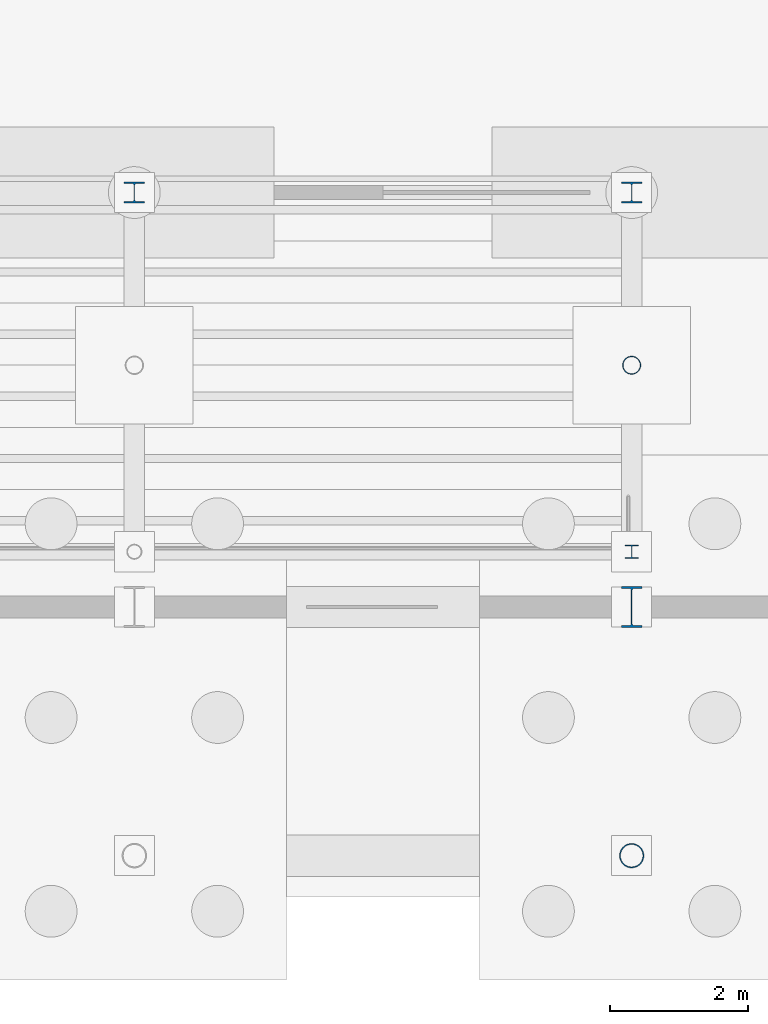
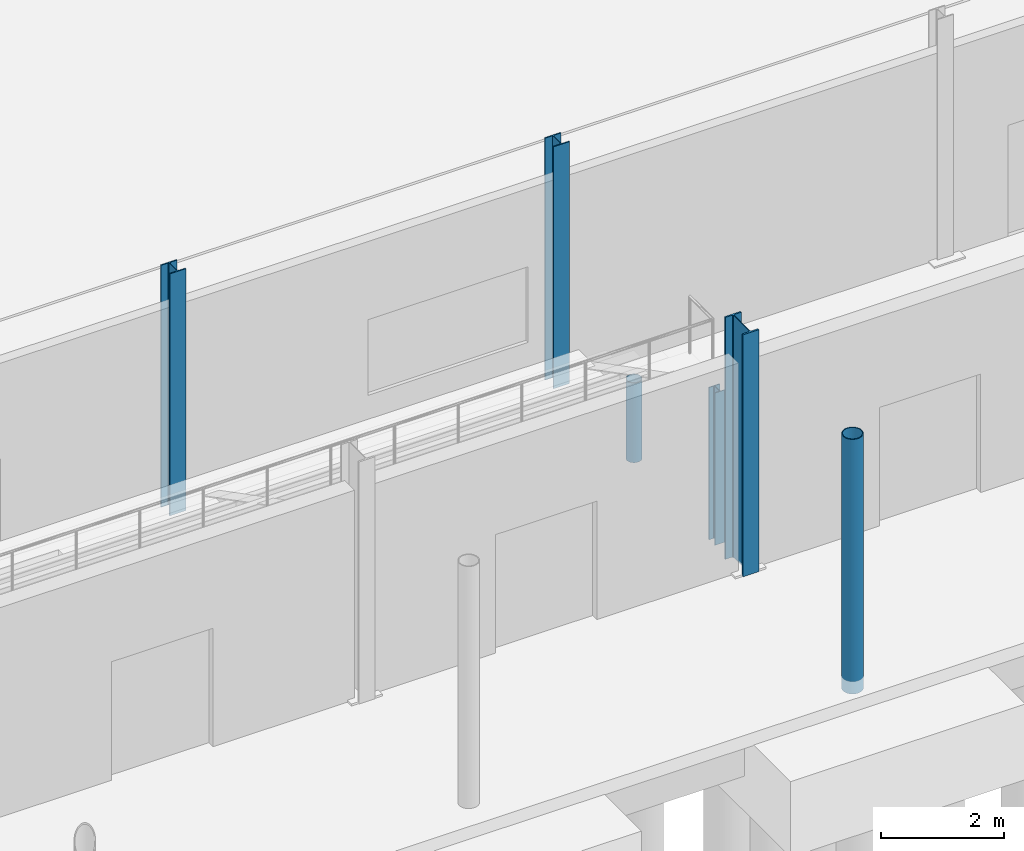
# One storey, part 5 of 101: 6 columns.
"""IFC4 building model written with IfcOpenShell, lengths in metres."""

import ifcopenshell
import ifcopenshell.guid

model = None  # the IFC model being written
_history = None  # IfcOwnerHistory: only IFC2X3 demands one
_inside = {}  # id of a spatial element -> (the spatial element, [elements in it])
_under = {}  # id of a project, library or spatial element -> (it, [spatial elements below it])
_declared = {}  # id of a project -> (the project, [libraries it declares])
_typed = {}  # id of a type object -> (the type object, [elements of that type])
_made_of = {}  # id of a material, layer set ... -> (it, [elements and type objects made of it])


def new_model(schema):
    """Start an empty IFC model of exactly this schema.

    Asked for "IFC4X3", IfcOpenShell would pick the latest addendum, in which some entities
    have other attributes; the version numbers below select the first issue.
    IFC2X3 requires an IfcOwnerHistory on every rooted entity: one is made here for all.
    """
    global model, _history
    if schema == "IFC4X3":
        model = ifcopenshell.file(schema_version=(4, 3, 0, 0))
    else:
        model = ifcopenshell.file(schema=schema)
    _inside.clear()
    _under.clear()
    _declared.clear()
    _typed.clear()
    _made_of.clear()
    _history = None
    if model.schema == "IFC2X3":
        org = make("IfcOrganization", Name="unknown")
        user = make(
            "IfcPersonAndOrganization",
            ThePerson=make("IfcPerson", FamilyName="unknown"),
            TheOrganization=org,
        )
        app = make(
            "IfcApplication",
            ApplicationDeveloper=org,
            Version="unknown",
            ApplicationFullName="unknown",
            ApplicationIdentifier="unknown",
        )
        _history = make(
            "IfcOwnerHistory",
            OwningUser=user,
            OwningApplication=app,
            ChangeAction="ADDED",
            CreationDate=0,
        )
    return model


def make(cls, **values):
    """One entity of the class cls with the attributes given. An attribute that is None is left unset."""
    return model.create_entity(
        cls, **{name: value for name, value in values.items() if value is not None}
    )


def rooted(cls, **values):
    """An entity with a GlobalId (a new one), such as an element, a storey or a relation."""
    return make(cls, GlobalId=ifcopenshell.guid.new(), OwnerHistory=_history, **values)


def si_unit(unit_type, name, prefix=None):
    """IfcSIUnit, for example si_unit("LENGTHUNIT", "METRE", prefix="MILLI")."""
    return make("IfcSIUnit", UnitType=unit_type, Prefix=prefix, Name=name)


def derived_unit(unit_type, elements):
    """IfcDerivedUnit: a product of units, each with its exponent."""
    return make(
        "IfcDerivedUnit",
        Elements=[
            make("IfcDerivedUnitElement", Unit=unit, Exponent=power)
            for unit, power in elements
        ],
        UnitType=unit_type,
    )


def assignment(units):
    """IfcUnitAssignment: the units of a project."""
    return None if units is None else make("IfcUnitAssignment", Units=units)


def point(xyz):
    """IfcCartesianPoint."""
    return None if xyz is None else make("IfcCartesianPoint", Coordinates=xyz)


def direction(xyz):
    """IfcDirection."""
    return None if xyz is None else make("IfcDirection", DirectionRatios=xyz)


def frame(location, z_axis=None, x_axis=None):
    """IfcAxis2Placement3D, a coordinate frame: its origin and axes. An axis left out is left unset."""
    return make(
        "IfcAxis2Placement3D",
        Location=point(location),
        Axis=direction(z_axis),
        RefDirection=direction(x_axis),
    )


def frame_2d(location, x_axis=None):
    """IfcAxis2Placement2D, a coordinate frame in the plane: its origin and x axis."""
    return make(
        "IfcAxis2Placement2D", Location=point(location), RefDirection=direction(x_axis)
    )


def origin():
    """The frame at (0, 0, 0) with its axes left unset."""
    return frame((0.0, 0.0, 0.0))


def origin_2d():
    """The frame at (0, 0) in the plane with its x axis left unset."""
    return frame_2d((0.0, 0.0))


def place(relative_to, where):
    """IfcLocalPlacement: puts the frame where relative to a parent placement (None: the world)."""
    return make(
        "IfcLocalPlacement", PlacementRelTo=relative_to, RelativePlacement=where
    )


def context(
    kind, dimensions, precision=None, world=None, true_north=None, identifier=None
):
    """IfcGeometricRepresentationContext, for example the 3D "Model" context."""
    return make(
        "IfcGeometricRepresentationContext",
        ContextIdentifier=identifier,
        ContextType=kind,
        CoordinateSpaceDimension=dimensions,
        Precision=precision,
        WorldCoordinateSystem=world,
        TrueNorth=true_north,
    )


def subcontext(parent, identifier, kind, view, scale=None):
    """IfcGeometricRepresentationSubContext, for example "Body" below "Model"."""
    return make(
        "IfcGeometricRepresentationSubContext",
        ContextIdentifier=identifier,
        ContextType=kind,
        ParentContext=parent,
        TargetScale=scale,
        TargetView=view,
    )


def project(units=None, contexts=None):
    """IfcProject with its units and contexts."""
    return rooted(
        "IfcProject",
        Name="project",
        RepresentationContexts=contexts,
        UnitsInContext=assignment(units),
    )


def spatial(cls, under=None, at=None, **own):
    """A site, building, storey or space (cls), placed at a placement, below another one or the project."""
    s = rooted(cls, ObjectPlacement=at, **own)
    if under is not None:
        _under.setdefault(under.id(), (under, []))[1].append(s)
    return s


def profile(cls, at=None, kind="AREA", **sizes):
    """A parametric profile (cls). Its sizes go by their IFC names, for example OverallWidth=200.0."""
    return make(cls, ProfileType=kind, Position=at, **sizes)


def hollow_circle(**sizes):
    """IfcCircleHollowProfileDef."""
    return profile("IfcCircleHollowProfileDef", **sizes)


def i_section(**sizes):
    """IfcIShapeProfileDef."""
    return profile("IfcIShapeProfileDef", **sizes)


def extrude(swept, where, along, depth):
    """IfcExtrudedAreaSolid: the profile swept, set in the frame where, extruded along a direction by depth."""
    return make(
        "IfcExtrudedAreaSolid",
        SweptArea=swept,
        Position=where,
        ExtrudedDirection=direction(along),
        Depth=depth,
    )


def shape(context_of_items, identifier, shape_type, items):
    """IfcShapeRepresentation: the items that make up one representation, for example the "Body"."""
    return make(
        "IfcShapeRepresentation",
        ContextOfItems=context_of_items,
        RepresentationIdentifier=identifier,
        RepresentationType=shape_type,
        Items=items,
    )


def material(Name=None, Category=None):
    """IfcMaterial."""
    return make("IfcMaterial", Name=Name, Category=Category)


def material_profile(
    of_material, cross_section, Name=None, Category=None, Priority=None
):
    """IfcMaterialProfile: a cross section and its material."""
    return make(
        "IfcMaterialProfile",
        Name=Name,
        Material=of_material,
        Profile=cross_section,
        Priority=Priority,
        Category=Category,
    )


def profile_set(profiles, Name=None, composite=None):
    """IfcMaterialProfileSet."""
    return make(
        "IfcMaterialProfileSet",
        Name=Name,
        MaterialProfiles=profiles,
        CompositeProfile=composite,
    )


def made_of(thing, what):
    """Note that an element or type object is made of a material, layer set ...; save() writes the relation."""
    if what is not None:
        _made_of.setdefault(what.id(), (what, []))[1].append(thing)
    return thing


def type_object(cls, material=None, **own):
    """A type object (cls), such as IfcWallType, which elements share."""
    return made_of(rooted(cls, **own), material)


def element(
    cls,
    number,
    at=None,
    inside=None,
    cuts=None,
    type_object=None,
    material=None,
    context=None,
    identifier="Body",
    shape_type=None,
    held_by="IfcProductDefinitionShape",
    body=None,
    shapes=None,
    **own,
):
    """One element of the class cls, such as IfcWall. Its Tag is "e" and its number.

    at: its placement. inside: the storey or other place that contains it. cuts: it is an
    opening in that element (IfcRelVoidsElement). A single representation is given by context,
    identifier, shape_type and body (its items); several are given by shapes. held_by: the class
    of the entity that holds the representations. save() writes the other relations.
    """
    e = rooted(cls, Tag="e%d" % number, ObjectPlacement=at, **own)
    if body is not None:
        shapes = [shape(context, identifier, shape_type, body)]
    if shapes is not None:
        e.Representation = make(held_by, Representations=shapes)
    if inside is not None:
        _inside.setdefault(inside.id(), (inside, []))[1].append(e)
    if cuts is not None:
        rooted(
            "IfcRelVoidsElement", RelatingBuildingElement=cuts, RelatedOpeningElement=e
        )
    if type_object is not None:
        _typed.setdefault(type_object.id(), (type_object, []))[1].append(e)
    return made_of(e, material)


def aggregate(whole, parts):
    """IfcRelAggregates: a whole, such as a stair, and the parts it consists of."""
    return rooted("IfcRelAggregates", RelatingObject=whole, RelatedObjects=parts)


def save(model, path):
    """Write the relations noted so far, then the file.

    IfcRelAggregates (storeys below a building ...), IfcRelContainedInSpatialStructure (elements
    in a storey), IfcRelDefinesByType, IfcRelAssociatesMaterial and IfcRelDeclares: one each for
    every whole, place, type object, material and project.
    """
    for whole, parts in _under.values():
        aggregate(whole, parts)
    for where, things in _inside.values():
        rooted(
            "IfcRelContainedInSpatialStructure",
            RelatedElements=things,
            RelatingStructure=where,
        )
    for kind, things in _typed.values():
        rooted("IfcRelDefinesByType", RelatedObjects=things, RelatingType=kind)
    for what, things in _made_of.values():
        rooted("IfcRelAssociatesMaterial", RelatedObjects=things, RelatingMaterial=what)
    for by, libraries in _declared.values():
        rooted("IfcRelDeclares", RelatingContext=by, RelatedDefinitions=libraries)
    model.write(path)


model = new_model("IFC4")

# Units and contexts
model_context = context("Model", 3, precision=1e-05, world=origin(), true_north=direction((0.0, 1.0)))
body_context = subcontext(model_context, "Body", "Model", "MODEL_VIEW")
ifc_project = project(units=[si_unit("LENGTHUNIT", "METRE"), si_unit("AREAUNIT", "SQUARE_METRE"), si_unit("VOLUMEUNIT", "CUBIC_METRE"), si_unit("PLANEANGLEUNIT", "RADIAN"), si_unit("MASSUNIT", "GRAM", prefix="KILO"), derived_unit("THERMALTRANSMITTANCEUNIT", [(si_unit("POWERUNIT", "WATT"), 1), (si_unit("LENGTHUNIT", "METRE"), -2), (si_unit("THERMODYNAMICTEMPERATUREUNIT", "KELVIN"), -1)])], contexts=[model_context])

# Site, building, storey
site_placement = place(None, origin())
site = spatial("IfcSite", under=ifc_project, at=site_placement, CompositionType="ELEMENT")
building_placement = place(site_placement, origin())
building = spatial("IfcBuilding", under=site, at=building_placement, Name="Keldorne Ridge Multi-Sports Centre", CompositionType="ELEMENT")
storey_placement = place(building_placement, origin())
storey = spatial("IfcBuildingStorey", under=building, at=storey_placement, Name="L00", CompositionType="ELEMENT", Elevation=0.0)

# Columns
ifc_material = material(Name="Steel S355", Category="steel")
ifc_material_profile_1 = material_profile(ifc_material, i_section(OverallWidth=0.300048828125, OverallDepth=0.60009765625, WebThickness=0.015380859375, FlangeThickness=0.030029296875, FilletRadius=0.027099609375, at=origin_2d()), Name="HEB 600")
ifc_profile_set_1 = profile_set([ifc_material_profile_1], Name="Steel S355")
column_type_1 = type_object("IfcColumnType", Name="COL-C-01", PredefinedType="COLUMN", material=ifc_profile_set_1)
column_1_placement = place(storey_placement, frame((34.800048828125, 9.60009765625, 0.0), z_axis=(0.0, 0.0, 1.0), x_axis=(1.0, 0.0, 0.0)))
element("IfcColumn", 1, at=column_1_placement, inside=storey, type_object=column_type_1, Name="Structural column V1-HALL-S-05 on L00", PredefinedType="COLUMN", context=body_context, shape_type="SweptSolid", body=[
    extrude(i_section(OverallWidth=0.300048828125, OverallDepth=0.60009765625, WebThickness=0.015380859375, FlangeThickness=0.030029296875, FilletRadius=0.027099609375, at=origin_2d()), origin(), (0.0, 0.0, 1.0), 4.800048828125),
])
ifc_material_profile_2 = material_profile(ifc_material, hollow_circle(Radius=0.177734375, WallThickness=0.01611328125, at=origin_2d()), Name="CHS 355.6x16")
ifc_profile_set_2 = profile_set([ifc_material_profile_2], Name="Steel S355")
column_type_2 = type_object("IfcColumnType", Name="COL-C-03", PredefinedType="PILASTER", material=ifc_profile_set_2)
column_2_placement = place(storey_placement, frame((34.800048828125, 6.0, -0.25), z_axis=(0.0, 0.0, 1.0), x_axis=(1.0, 0.0, 0.0)))
element("IfcColumn", 2, at=column_2_placement, inside=storey, type_object=column_type_2, Name="Structural column V1-COLN-05 on L00", PredefinedType="PILASTER", context=body_context, shape_type="SweptSolid", body=[
    extrude(hollow_circle(Radius=0.177734375, WallThickness=0.01611328125, at=origin_2d()), origin(), (0.0, 0.0, 1.0), 5.050048828125),
])
ifc_material_profile_3 = material_profile(ifc_material, i_section(OverallWidth=0.300048828125, OverallDepth=0.300048828125, WebThickness=0.010986328125, FlangeThickness=0.01904296875, FilletRadius=0.027099609375, at=origin_2d()), Name="HEB 300")
ifc_profile_set_3 = profile_set([ifc_material_profile_3], Name="Steel S355")
column_type_3 = type_object("IfcColumnType", Name="COL-C-12", PredefinedType="COLUMN", material=ifc_profile_set_3)
for number, where, z_axis, x_axis, name in (
    (3, (27.60009765625, 15.60009765625, 0.0), (0.0, 0.0, 1.0), (1.0, 0.0, 0.0), "Structural column V1-MEZZ-04 on L00"),
    (4, (34.800048828125, 15.60009765625, 0.0), (0.0, 0.0, 1.0), (1.0, 0.0, 0.0), "Structural column V1-MEZZ-05 on L00"),
):
    element("IfcColumn", number, at=place(storey_placement, frame(where, z_axis=z_axis, x_axis=x_axis)), inside=storey, type_object=column_type_3, Name=name, PredefinedType="COLUMN", context=body_context, shape_type="SweptSolid", body=[
        extrude(i_section(OverallWidth=0.300048828125, OverallDepth=0.300048828125, WebThickness=0.010986328125, FlangeThickness=0.01904296875, FilletRadius=0.027099609375, at=origin_2d()), origin(), (0.0, 0.0, 1.0), 4.800048828125),
    ])
ifc_material_profile_4 = material_profile(ifc_material, i_section(OverallWidth=0.199951171875, OverallDepth=0.199951171875, WebThickness=0.009033203125, FlangeThickness=0.014892578125, FilletRadius=0.01806640625, at=origin_2d()), Name="HEB 200")
ifc_profile_set_4 = profile_set([ifc_material_profile_4], Name="Steel S355")
column_type_4 = type_object("IfcColumnType", Name="COL-C-31", PredefinedType="COLUMN", material=ifc_profile_set_4)
column_3_placement = place(storey_placement, frame((34.800048828125, 10.39990234375, 0.0), z_axis=(0.0, 0.0, 1.0), x_axis=(1.0, 0.0, 0.0)))
element("IfcColumn", 5, at=column_3_placement, inside=storey, type_object=column_type_4, Name="Structural column V1-STDCOL-SOUTH-04 on L00", PredefinedType="COLUMN", context=body_context, shape_type="SweptSolid", body=[
    extrude(i_section(OverallWidth=0.199951171875, OverallDepth=0.199951171875, WebThickness=0.009033203125, FlangeThickness=0.014892578125, FilletRadius=0.01806640625, at=origin_2d()), origin(), (0.0, 0.0, 1.0), 3.02001953125),
])
ifc_material_profile_5 = material_profile(ifc_material, hollow_circle(Radius=0.133544921875, WallThickness=0.012451171875, at=origin_2d()), Name="CHS 267x12.5")
ifc_profile_set_5 = profile_set([ifc_material_profile_5], Name="Steel S355")
column_type_5 = type_object("IfcColumnType", Name="COL-C-41", PredefinedType="COLUMN", material=ifc_profile_set_5)
column_4_placement = place(storey_placement, frame((34.800048828125, 13.10009765625, 0.0), z_axis=(0.0, 0.0, 1.0), x_axis=(1.0, 0.0, 0.0)))
element("IfcColumn", 6, at=column_4_placement, inside=storey, type_object=column_type_5, Name="Structural column V1-STDMID-SOUTH-04 on L00", PredefinedType="COLUMN", context=body_context, shape_type="SweptSolid", body=[
    extrude(hollow_circle(Radius=0.133544921875, WallThickness=0.012451171875, at=origin_2d()), origin(), (0.0, 0.0, 1.0), 1.580078125),
])

save(model, "model.ifc")
